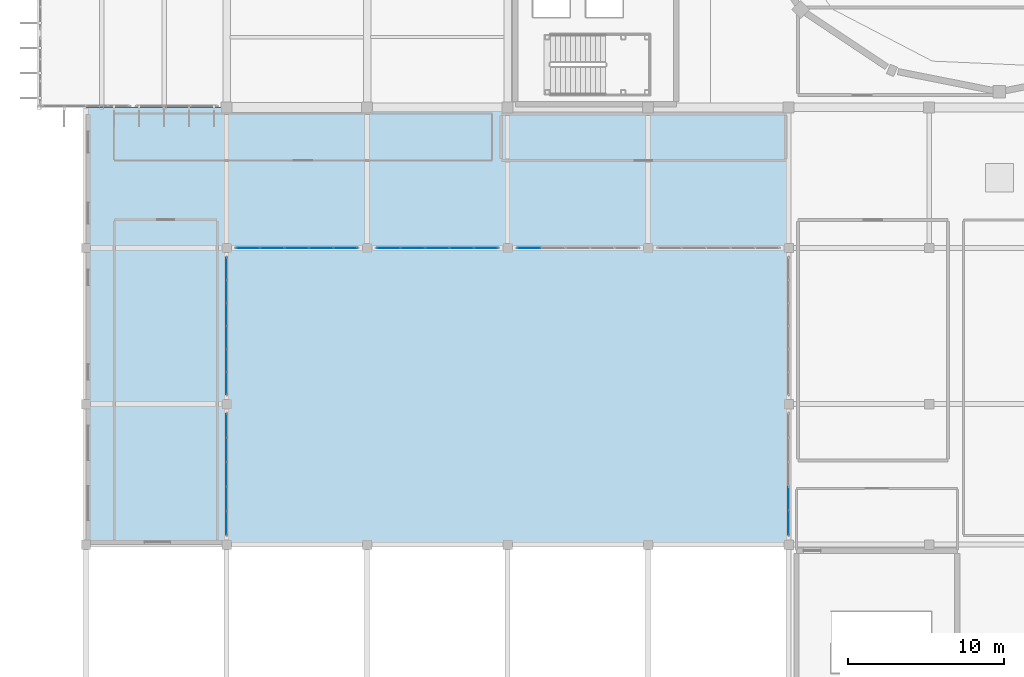
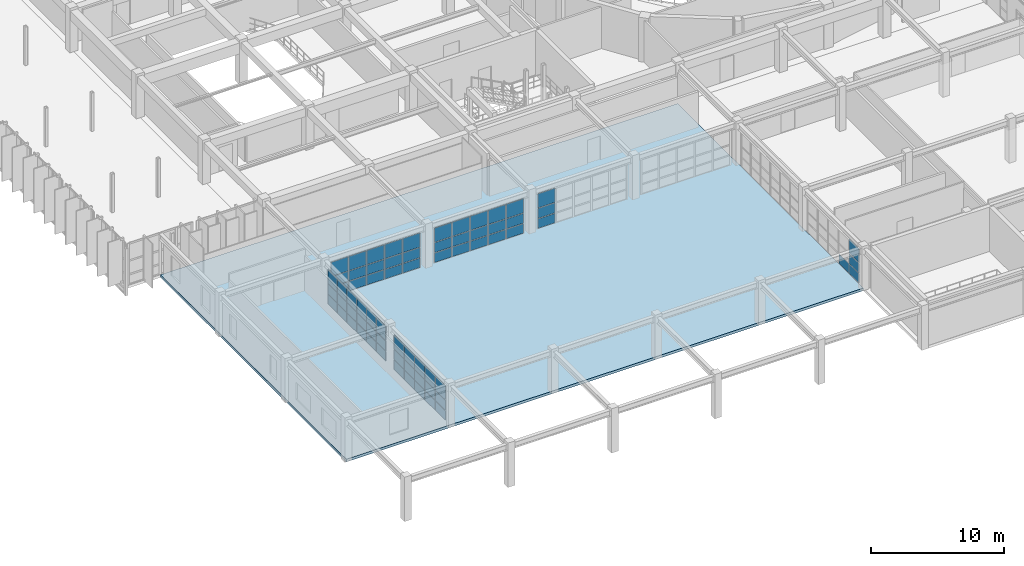
# One storey, part 79 of 110: 70 plates, 1 slab, 6 elements without a shape of their own.
"""IFC4 building model written with IfcOpenShell, lengths in metres."""

from ifc_helpers import new_model, si_unit, direction, frame, origin, origin_2d, place, context, subcontext, project, spatial, polyline, rectangle, outline, extrude, material, layer, layer_set, type_object, element, aggregate, save


model = new_model("IFC4")

# Units and contexts
model_context = context("Model", 3, precision=1e-05, world=origin(), true_north=direction((0.0, 1.0)))
body_context = subcontext(model_context, "Body", "Model", "MODEL_VIEW")
ifc_project = project(units=[si_unit("LENGTHUNIT", "METRE"), si_unit("AREAUNIT", "SQUARE_METRE"), si_unit("VOLUMEUNIT", "CUBIC_METRE"), si_unit("PLANEANGLEUNIT", "RADIAN"), si_unit("MASSUNIT", "GRAM", prefix="KILO")], contexts=[model_context])

# Site, building, storey
site_placement = place(None, origin())
site = spatial("IfcSite", under=ifc_project, at=site_placement, CompositionType="ELEMENT")
building_placement = place(site_placement, origin())
building = spatial("IfcBuilding", under=site, at=building_placement, Name="Miravela Opera House", CompositionType="ELEMENT")
storey_placement = place(building_placement, frame((0.0, 0.0, 13.60009765625)))
storey = spatial("IfcBuildingStorey", under=building, at=storey_placement, Name="L03", CompositionType="ELEMENT", Elevation=13.60009765625)

# Curtain wall, plates
ifc_material_1 = material(Name="Anodised architectural bronze aluminium 6063-T6", Category="aluminium")
curtain_wall_type = type_object("IfcCurtainWallType", Name="ARC-CW-06", PredefinedType="NOTDEFINED", material=ifc_material_1)
curtain_wall_1_placement = place(storey_placement, origin())
curtain_wall_1 = element("IfcCurtainWall", 1, at=curtain_wall_1_placement, inside=storey, type_object=curtain_wall_type, Name="Courtyard Arcade Curtain Wall CW-L03-148", PredefinedType="NOTDEFINED")
ifc_material_2 = material(Name="Acoustic laminated low-E insulating glass", Category="glass")
ifc_layer_1 = layer(ifc_material_2, 0.028076171875)
ifc_layer_set_1 = layer_set([ifc_layer_1])
plate_type = type_object("IfcPlateType", Name="ARC-CWP-28", PredefinedType="CURTAIN_PANEL", material=ifc_layer_set_1)
plate_1_placement = place(storey_placement, frame((28.37890625, 28.0, 0.06005859375), z_axis=(0.0, 0.0, 1.0), x_axis=(1.0, 0.0, 0.0)))
plate_1 = element("IfcPlate", 2, at=plate_1_placement, type_object=plate_type, Name="CW-06 panel 1.1", PredefinedType="CURTAIN_PANEL", context=body_context, shape_type="SweptSolid", body=[
    extrude(rectangle(XDim=1.47802734375, YDim=0.028076171875, at=origin_2d()), origin(), (0.0, 0.0, 1.0), 0.860107421875),
])
plate_2_placement = place(storey_placement, frame((28.37890625, 28.0, 0.97998046875), z_axis=(0.0, 0.0, 1.0), x_axis=(1.0, 0.0, 0.0)))
plate_2 = element("IfcPlate", 3, at=plate_2_placement, type_object=plate_type, Name="CW-06 panel 1.2", PredefinedType="CURTAIN_PANEL", context=body_context, shape_type="SweptSolid", body=[
    extrude(rectangle(XDim=1.47802734375, YDim=0.028076171875, at=origin_2d()), origin(), (0.0, 0.0, 1.0), 0.898193359375),
])
plate_3_placement = place(storey_placement, frame((28.37890625, 28.0, 1.93798828125), z_axis=(0.0, 0.0, 1.0), x_axis=(1.0, 0.0, 0.0)))
plate_3 = element("IfcPlate", 4, at=plate_3_placement, type_object=plate_type, Name="CW-06 panel 1.3", PredefinedType="CURTAIN_PANEL", context=body_context, shape_type="SweptSolid", body=[
    extrude(rectangle(XDim=1.47802734375, YDim=0.028076171875, at=origin_2d()), origin(), (0.0, 0.0, 1.0), 1.291748046875),
])
plate_4_placement = place(storey_placement, frame((29.931884765625, 28.0, 0.06005859375), z_axis=(0.0, 0.0, 1.0), x_axis=(1.0, 0.0, 0.0)))
plate_4 = element("IfcPlate", 5, at=plate_4_placement, type_object=plate_type, Name="CW-06 panel 2.1", PredefinedType="CURTAIN_PANEL", context=body_context, shape_type="SweptSolid", body=[
    extrude(rectangle(XDim=1.508056640625, YDim=0.028076171875, at=origin_2d()), origin(), (0.0, 0.0, 1.0), 0.860107421875),
])
plate_5_placement = place(storey_placement, frame((29.931884765625, 28.0, 0.97998046875), z_axis=(0.0, 0.0, 1.0), x_axis=(1.0, 0.0, 0.0)))
plate_5 = element("IfcPlate", 6, at=plate_5_placement, type_object=plate_type, Name="CW-06 panel 2.2", PredefinedType="CURTAIN_PANEL", context=body_context, shape_type="SweptSolid", body=[
    extrude(rectangle(XDim=1.508056640625, YDim=0.028076171875, at=origin_2d()), origin(), (0.0, 0.0, 1.0), 0.898193359375),
])
plate_6_placement = place(storey_placement, frame((29.931884765625, 28.0, 1.93798828125), z_axis=(0.0, 0.0, 1.0), x_axis=(1.0, 0.0, 0.0)))
plate_6 = element("IfcPlate", 7, at=plate_6_placement, type_object=plate_type, Name="CW-06 panel 2.3", PredefinedType="CURTAIN_PANEL", context=body_context, shape_type="SweptSolid", body=[
    extrude(rectangle(XDim=1.508056640625, YDim=0.028076171875, at=origin_2d()), origin(), (0.0, 0.0, 1.0), 1.291748046875),
])
plate_7_placement = place(storey_placement, frame((31.5, 28.0, 0.06005859375), z_axis=(0.0, 0.0, 1.0), x_axis=(1.0, 0.0, 0.0)))
plate_7 = element("IfcPlate", 8, at=plate_7_placement, type_object=plate_type, Name="CW-06 panel 3.1", PredefinedType="CURTAIN_PANEL", context=body_context, shape_type="SweptSolid", body=[
    extrude(rectangle(XDim=1.508056640625, YDim=0.028076171875, at=origin_2d()), origin(), (0.0, 0.0, 1.0), 0.860107421875),
])
plate_8_placement = place(storey_placement, frame((31.5, 28.0, 0.97998046875), z_axis=(0.0, 0.0, 1.0), x_axis=(1.0, 0.0, 0.0)))
plate_8 = element("IfcPlate", 9, at=plate_8_placement, type_object=plate_type, Name="CW-06 panel 3.2", PredefinedType="CURTAIN_PANEL", context=body_context, shape_type="SweptSolid", body=[
    extrude(rectangle(XDim=1.508056640625, YDim=0.028076171875, at=origin_2d()), origin(), (0.0, 0.0, 1.0), 0.898193359375),
])
plate_9_placement = place(storey_placement, frame((31.5, 28.0, 1.93798828125), z_axis=(0.0, 0.0, 1.0), x_axis=(1.0, 0.0, 0.0)))
plate_9 = element("IfcPlate", 10, at=plate_9_placement, type_object=plate_type, Name="CW-06 panel 3.3", PredefinedType="CURTAIN_PANEL", context=body_context, shape_type="SweptSolid", body=[
    extrude(rectangle(XDim=1.508056640625, YDim=0.028076171875, at=origin_2d()), origin(), (0.0, 0.0, 1.0), 1.291748046875),
])
plate_10_placement = place(storey_placement, frame((33.068115234375, 28.0, 0.06005859375), z_axis=(0.0, 0.0, 1.0), x_axis=(1.0, 0.0, 0.0)))
plate_10 = element("IfcPlate", 11, at=plate_10_placement, type_object=plate_type, Name="CW-06 panel 4.1", PredefinedType="CURTAIN_PANEL", context=body_context, shape_type="SweptSolid", body=[
    extrude(rectangle(XDim=1.508056640625, YDim=0.028076171875, at=origin_2d()), origin(), (0.0, 0.0, 1.0), 0.860107421875),
])
plate_11_placement = place(storey_placement, frame((33.068115234375, 28.0, 0.97998046875), z_axis=(0.0, 0.0, 1.0), x_axis=(1.0, 0.0, 0.0)))
plate_11 = element("IfcPlate", 12, at=plate_11_placement, type_object=plate_type, Name="CW-06 panel 4.2", PredefinedType="CURTAIN_PANEL", context=body_context, shape_type="SweptSolid", body=[
    extrude(rectangle(XDim=1.508056640625, YDim=0.028076171875, at=origin_2d()), origin(), (0.0, 0.0, 1.0), 0.898193359375),
])
plate_12_placement = place(storey_placement, frame((33.068115234375, 28.0, 1.93798828125), z_axis=(0.0, 0.0, 1.0), x_axis=(1.0, 0.0, 0.0)))
plate_12 = element("IfcPlate", 13, at=plate_12_placement, type_object=plate_type, Name="CW-06 panel 4.3", PredefinedType="CURTAIN_PANEL", context=body_context, shape_type="SweptSolid", body=[
    extrude(rectangle(XDim=1.508056640625, YDim=0.028076171875, at=origin_2d()), origin(), (0.0, 0.0, 1.0), 1.291748046875),
])
plate_13_placement = place(storey_placement, frame((34.62109375, 28.0, 0.06005859375), z_axis=(0.0, 0.0, 1.0), x_axis=(1.0, 0.0, 0.0)))
plate_13 = element("IfcPlate", 14, at=plate_13_placement, type_object=plate_type, Name="CW-06 panel 5.1", PredefinedType="CURTAIN_PANEL", context=body_context, shape_type="SweptSolid", body=[
    extrude(rectangle(XDim=1.47802734375, YDim=0.028076171875, at=origin_2d()), origin(), (0.0, 0.0, 1.0), 0.860107421875),
])
plate_14_placement = place(storey_placement, frame((34.62109375, 28.0, 0.97998046875), z_axis=(0.0, 0.0, 1.0), x_axis=(1.0, 0.0, 0.0)))
plate_14 = element("IfcPlate", 15, at=plate_14_placement, type_object=plate_type, Name="CW-06 panel 5.2", PredefinedType="CURTAIN_PANEL", context=body_context, shape_type="SweptSolid", body=[
    extrude(rectangle(XDim=1.47802734375, YDim=0.028076171875, at=origin_2d()), origin(), (0.0, 0.0, 1.0), 0.898193359375),
])
plate_15_placement = place(storey_placement, frame((34.62109375, 28.0, 1.93798828125), z_axis=(0.0, 0.0, 1.0), x_axis=(1.0, 0.0, 0.0)))
plate_15 = element("IfcPlate", 16, at=plate_15_placement, type_object=plate_type, Name="CW-06 panel 5.3", PredefinedType="CURTAIN_PANEL", context=body_context, shape_type="SweptSolid", body=[
    extrude(rectangle(XDim=1.47802734375, YDim=0.028076171875, at=origin_2d()), origin(), (0.0, 0.0, 1.0), 1.291748046875),
])
aggregate(curtain_wall_1, [plate_1, plate_2, plate_3, plate_4, plate_5, plate_6, plate_7, plate_8, plate_9, plate_10, plate_11, plate_12, plate_13, plate_14, plate_15])

curtain_wall_2_placement = place(storey_placement, origin())
curtain_wall_2 = element("IfcCurtainWall", 17, at=curtain_wall_2_placement, inside=storey, type_object=curtain_wall_type, Name="Courtyard Arcade Curtain Wall CW-L03-149", PredefinedType="NOTDEFINED")
plate_16_placement = place(storey_placement, frame((37.37890625, 28.0, 0.06005859375), z_axis=(0.0, 0.0, 1.0), x_axis=(1.0, 0.0, 0.0)))
plate_16 = element("IfcPlate", 18, at=plate_16_placement, type_object=plate_type, Name="CW-06 panel 1.1", PredefinedType="CURTAIN_PANEL", context=body_context, shape_type="SweptSolid", body=[
    extrude(rectangle(XDim=1.47802734375, YDim=0.028076171875, at=origin_2d()), origin(), (0.0, 0.0, 1.0), 0.860107421875),
])
plate_17_placement = place(storey_placement, frame((37.37890625, 28.0, 0.97998046875), z_axis=(0.0, 0.0, 1.0), x_axis=(1.0, 0.0, 0.0)))
plate_17 = element("IfcPlate", 19, at=plate_17_placement, type_object=plate_type, Name="CW-06 panel 1.2", PredefinedType="CURTAIN_PANEL", context=body_context, shape_type="SweptSolid", body=[
    extrude(rectangle(XDim=1.47802734375, YDim=0.028076171875, at=origin_2d()), origin(), (0.0, 0.0, 1.0), 0.898193359375),
])
plate_18_placement = place(storey_placement, frame((37.37890625, 28.0, 1.93798828125), z_axis=(0.0, 0.0, 1.0), x_axis=(1.0, 0.0, 0.0)))
plate_18 = element("IfcPlate", 20, at=plate_18_placement, type_object=plate_type, Name="CW-06 panel 1.3", PredefinedType="CURTAIN_PANEL", context=body_context, shape_type="SweptSolid", body=[
    extrude(rectangle(XDim=1.47802734375, YDim=0.028076171875, at=origin_2d()), origin(), (0.0, 0.0, 1.0), 1.291748046875),
])
plate_19_placement = place(storey_placement, frame((38.931884765625, 28.0, 0.06005859375), z_axis=(0.0, 0.0, 1.0), x_axis=(1.0, 0.0, 0.0)))
plate_19 = element("IfcPlate", 21, at=plate_19_placement, type_object=plate_type, Name="CW-06 panel 2.1", PredefinedType="CURTAIN_PANEL", context=body_context, shape_type="SweptSolid", body=[
    extrude(rectangle(XDim=1.508056640625, YDim=0.028076171875, at=origin_2d()), origin(), (0.0, 0.0, 1.0), 0.860107421875),
])
plate_20_placement = place(storey_placement, frame((38.931884765625, 28.0, 0.97998046875), z_axis=(0.0, 0.0, 1.0), x_axis=(1.0, 0.0, 0.0)))
plate_20 = element("IfcPlate", 22, at=plate_20_placement, type_object=plate_type, Name="CW-06 panel 2.2", PredefinedType="CURTAIN_PANEL", context=body_context, shape_type="SweptSolid", body=[
    extrude(rectangle(XDim=1.508056640625, YDim=0.028076171875, at=origin_2d()), origin(), (0.0, 0.0, 1.0), 0.898193359375),
])
plate_21_placement = place(storey_placement, frame((38.931884765625, 28.0, 1.93798828125), z_axis=(0.0, 0.0, 1.0), x_axis=(1.0, 0.0, 0.0)))
plate_21 = element("IfcPlate", 23, at=plate_21_placement, type_object=plate_type, Name="CW-06 panel 2.3", PredefinedType="CURTAIN_PANEL", context=body_context, shape_type="SweptSolid", body=[
    extrude(rectangle(XDim=1.508056640625, YDim=0.028076171875, at=origin_2d()), origin(), (0.0, 0.0, 1.0), 1.291748046875),
])
plate_22_placement = place(storey_placement, frame((40.5, 28.0, 0.06005859375), z_axis=(0.0, 0.0, 1.0), x_axis=(1.0, 0.0, 0.0)))
plate_22 = element("IfcPlate", 24, at=plate_22_placement, type_object=plate_type, Name="CW-06 panel 3.1", PredefinedType="CURTAIN_PANEL", context=body_context, shape_type="SweptSolid", body=[
    extrude(rectangle(XDim=1.508056640625, YDim=0.028076171875, at=origin_2d()), origin(), (0.0, 0.0, 1.0), 0.860107421875),
])
plate_23_placement = place(storey_placement, frame((40.5, 28.0, 0.97998046875), z_axis=(0.0, 0.0, 1.0), x_axis=(1.0, 0.0, 0.0)))
plate_23 = element("IfcPlate", 25, at=plate_23_placement, type_object=plate_type, Name="CW-06 panel 3.2", PredefinedType="CURTAIN_PANEL", context=body_context, shape_type="SweptSolid", body=[
    extrude(rectangle(XDim=1.508056640625, YDim=0.028076171875, at=origin_2d()), origin(), (0.0, 0.0, 1.0), 0.898193359375),
])
plate_24_placement = place(storey_placement, frame((40.5, 28.0, 1.93798828125), z_axis=(0.0, 0.0, 1.0), x_axis=(1.0, 0.0, 0.0)))
plate_24 = element("IfcPlate", 26, at=plate_24_placement, type_object=plate_type, Name="CW-06 panel 3.3", PredefinedType="CURTAIN_PANEL", context=body_context, shape_type="SweptSolid", body=[
    extrude(rectangle(XDim=1.508056640625, YDim=0.028076171875, at=origin_2d()), origin(), (0.0, 0.0, 1.0), 1.291748046875),
])
plate_25_placement = place(storey_placement, frame((42.068115234375, 28.0, 0.06005859375), z_axis=(0.0, 0.0, 1.0), x_axis=(1.0, 0.0, 0.0)))
plate_25 = element("IfcPlate", 27, at=plate_25_placement, type_object=plate_type, Name="CW-06 panel 4.1", PredefinedType="CURTAIN_PANEL", context=body_context, shape_type="SweptSolid", body=[
    extrude(rectangle(XDim=1.508056640625, YDim=0.028076171875, at=origin_2d()), origin(), (0.0, 0.0, 1.0), 0.860107421875),
])
plate_26_placement = place(storey_placement, frame((42.068115234375, 28.0, 0.97998046875), z_axis=(0.0, 0.0, 1.0), x_axis=(1.0, 0.0, 0.0)))
plate_26 = element("IfcPlate", 28, at=plate_26_placement, type_object=plate_type, Name="CW-06 panel 4.2", PredefinedType="CURTAIN_PANEL", context=body_context, shape_type="SweptSolid", body=[
    extrude(rectangle(XDim=1.508056640625, YDim=0.028076171875, at=origin_2d()), origin(), (0.0, 0.0, 1.0), 0.898193359375),
])
plate_27_placement = place(storey_placement, frame((42.068115234375, 28.0, 1.93798828125), z_axis=(0.0, 0.0, 1.0), x_axis=(1.0, 0.0, 0.0)))
plate_27 = element("IfcPlate", 29, at=plate_27_placement, type_object=plate_type, Name="CW-06 panel 4.3", PredefinedType="CURTAIN_PANEL", context=body_context, shape_type="SweptSolid", body=[
    extrude(rectangle(XDim=1.508056640625, YDim=0.028076171875, at=origin_2d()), origin(), (0.0, 0.0, 1.0), 1.291748046875),
])
plate_28_placement = place(storey_placement, frame((43.62109375, 28.0, 0.06005859375), z_axis=(0.0, 0.0, 1.0), x_axis=(1.0, 0.0, 0.0)))
plate_28 = element("IfcPlate", 30, at=plate_28_placement, type_object=plate_type, Name="CW-06 panel 5.1", PredefinedType="CURTAIN_PANEL", context=body_context, shape_type="SweptSolid", body=[
    extrude(rectangle(XDim=1.47802734375, YDim=0.028076171875, at=origin_2d()), origin(), (0.0, 0.0, 1.0), 0.860107421875),
])
plate_29_placement = place(storey_placement, frame((43.62109375, 28.0, 0.97998046875), z_axis=(0.0, 0.0, 1.0), x_axis=(1.0, 0.0, 0.0)))
plate_29 = element("IfcPlate", 31, at=plate_29_placement, type_object=plate_type, Name="CW-06 panel 5.2", PredefinedType="CURTAIN_PANEL", context=body_context, shape_type="SweptSolid", body=[
    extrude(rectangle(XDim=1.47802734375, YDim=0.028076171875, at=origin_2d()), origin(), (0.0, 0.0, 1.0), 0.898193359375),
])
plate_30_placement = place(storey_placement, frame((43.62109375, 28.0, 1.93798828125), z_axis=(0.0, 0.0, 1.0), x_axis=(1.0, 0.0, 0.0)))
plate_30 = element("IfcPlate", 32, at=plate_30_placement, type_object=plate_type, Name="CW-06 panel 5.3", PredefinedType="CURTAIN_PANEL", context=body_context, shape_type="SweptSolid", body=[
    extrude(rectangle(XDim=1.47802734375, YDim=0.028076171875, at=origin_2d()), origin(), (0.0, 0.0, 1.0), 1.291748046875),
])
aggregate(curtain_wall_2, [plate_16, plate_17, plate_18, plate_19, plate_20, plate_21, plate_22, plate_23, plate_24, plate_25, plate_26, plate_27, plate_28, plate_29, plate_30])

curtain_wall_3_placement = place(storey_placement, origin())
curtain_wall_3 = element("IfcCurtainWall", 33, at=curtain_wall_3_placement, inside=storey, type_object=curtain_wall_type, Name="Courtyard Arcade Curtain Wall CW-L03-150", PredefinedType="NOTDEFINED")
plate_31_placement = place(storey_placement, frame((46.37890625, 28.0, 0.06005859375), z_axis=(0.0, 0.0, 1.0), x_axis=(1.0, 0.0, 0.0)))
plate_31 = element("IfcPlate", 34, at=plate_31_placement, type_object=plate_type, Name="CW-06 panel 1.1", PredefinedType="CURTAIN_PANEL", context=body_context, shape_type="SweptSolid", body=[
    extrude(rectangle(XDim=1.47802734375, YDim=0.028076171875, at=origin_2d()), origin(), (0.0, 0.0, 1.0), 0.860107421875),
])
plate_32_placement = place(storey_placement, frame((46.37890625, 28.0, 0.97998046875), z_axis=(0.0, 0.0, 1.0), x_axis=(1.0, 0.0, 0.0)))
plate_32 = element("IfcPlate", 35, at=plate_32_placement, type_object=plate_type, Name="CW-06 panel 1.2", PredefinedType="CURTAIN_PANEL", context=body_context, shape_type="SweptSolid", body=[
    extrude(rectangle(XDim=1.47802734375, YDim=0.028076171875, at=origin_2d()), origin(), (0.0, 0.0, 1.0), 0.898193359375),
])
plate_33_placement = place(storey_placement, frame((46.37890625, 28.0, 1.93798828125), z_axis=(0.0, 0.0, 1.0), x_axis=(1.0, 0.0, 0.0)))
plate_33 = element("IfcPlate", 36, at=plate_33_placement, type_object=plate_type, Name="CW-06 panel 1.3", PredefinedType="CURTAIN_PANEL", context=body_context, shape_type="SweptSolid", body=[
    extrude(rectangle(XDim=1.47802734375, YDim=0.028076171875, at=origin_2d()), origin(), (0.0, 0.0, 1.0), 1.291748046875),
])
aggregate(curtain_wall_3, [plate_31, plate_32, plate_33])

curtain_wall_4_placement = place(storey_placement, origin())
curtain_wall_4 = element("IfcCurtainWall", 37, at=curtain_wall_4_placement, inside=storey, type_object=curtain_wall_type, Name="Courtyard Arcade Curtain Wall CW-L03-152", PredefinedType="NOTDEFINED")
plate_34_placement = place(storey_placement, frame((27.0, 10.37890625, 0.06005859375), z_axis=(0.0, 0.0, 1.0), x_axis=(0.0, 1.0, 0.0)))
plate_34 = element("IfcPlate", 38, at=plate_34_placement, type_object=plate_type, Name="CW-06 panel 1.1", PredefinedType="CURTAIN_PANEL", context=body_context, shape_type="SweptSolid", body=[
    extrude(rectangle(XDim=1.47802734375, YDim=0.028076171875, at=origin_2d()), origin(), (0.0, 0.0, 1.0), 0.860107421875),
])
plate_35_placement = place(storey_placement, frame((27.0, 10.37890625, 0.97998046875), z_axis=(0.0, 0.0, 1.0), x_axis=(0.0, 1.0, 0.0)))
plate_35 = element("IfcPlate", 39, at=plate_35_placement, type_object=plate_type, Name="CW-06 panel 1.2", PredefinedType="CURTAIN_PANEL", context=body_context, shape_type="SweptSolid", body=[
    extrude(rectangle(XDim=1.47802734375, YDim=0.028076171875, at=origin_2d()), origin(), (0.0, 0.0, 1.0), 0.898193359375),
])
plate_36_placement = place(storey_placement, frame((27.0, 10.37890625, 1.93798828125), z_axis=(0.0, 0.0, 1.0), x_axis=(0.0, 1.0, 0.0)))
plate_36 = element("IfcPlate", 40, at=plate_36_placement, type_object=plate_type, Name="CW-06 panel 1.3", PredefinedType="CURTAIN_PANEL", context=body_context, shape_type="SweptSolid", body=[
    extrude(rectangle(XDim=1.47802734375, YDim=0.028076171875, at=origin_2d()), origin(), (0.0, 0.0, 1.0), 1.291748046875),
])
plate_37_placement = place(storey_placement, frame((27.0, 11.931884765625, 0.06005859375), z_axis=(0.0, 0.0, 1.0), x_axis=(0.0, 1.0, 0.0)))
plate_37 = element("IfcPlate", 41, at=plate_37_placement, type_object=plate_type, Name="CW-06 panel 2.1", PredefinedType="CURTAIN_PANEL", context=body_context, shape_type="SweptSolid", body=[
    extrude(rectangle(XDim=1.508056640625, YDim=0.028076171875, at=origin_2d()), origin(), (0.0, 0.0, 1.0), 0.860107421875),
])
plate_38_placement = place(storey_placement, frame((27.0, 11.931884765625, 0.97998046875), z_axis=(0.0, 0.0, 1.0), x_axis=(0.0, 1.0, 0.0)))
plate_38 = element("IfcPlate", 42, at=plate_38_placement, type_object=plate_type, Name="CW-06 panel 2.2", PredefinedType="CURTAIN_PANEL", context=body_context, shape_type="SweptSolid", body=[
    extrude(rectangle(XDim=1.508056640625, YDim=0.028076171875, at=origin_2d()), origin(), (0.0, 0.0, 1.0), 0.898193359375),
])
plate_39_placement = place(storey_placement, frame((27.0, 11.931884765625, 1.93798828125), z_axis=(0.0, 0.0, 1.0), x_axis=(0.0, 1.0, 0.0)))
plate_39 = element("IfcPlate", 43, at=plate_39_placement, type_object=plate_type, Name="CW-06 panel 2.3", PredefinedType="CURTAIN_PANEL", context=body_context, shape_type="SweptSolid", body=[
    extrude(rectangle(XDim=1.508056640625, YDim=0.028076171875, at=origin_2d()), origin(), (0.0, 0.0, 1.0), 1.291748046875),
])
plate_40_placement = place(storey_placement, frame((27.0, 13.5, 0.06005859375), z_axis=(0.0, 0.0, 1.0), x_axis=(0.0, 1.0, 0.0)))
plate_40 = element("IfcPlate", 44, at=plate_40_placement, type_object=plate_type, Name="CW-06 panel 3.1", PredefinedType="CURTAIN_PANEL", context=body_context, shape_type="SweptSolid", body=[
    extrude(rectangle(XDim=1.508056640625, YDim=0.028076171875, at=origin_2d()), origin(), (0.0, 0.0, 1.0), 0.860107421875),
])
plate_41_placement = place(storey_placement, frame((27.0, 13.5, 0.97998046875), z_axis=(0.0, 0.0, 1.0), x_axis=(0.0, 1.0, 0.0)))
plate_41 = element("IfcPlate", 45, at=plate_41_placement, type_object=plate_type, Name="CW-06 panel 3.2", PredefinedType="CURTAIN_PANEL", context=body_context, shape_type="SweptSolid", body=[
    extrude(rectangle(XDim=1.508056640625, YDim=0.028076171875, at=origin_2d()), origin(), (0.0, 0.0, 1.0), 0.898193359375),
])
plate_42_placement = place(storey_placement, frame((27.0, 13.5, 1.93798828125), z_axis=(0.0, 0.0, 1.0), x_axis=(0.0, 1.0, 0.0)))
plate_42 = element("IfcPlate", 46, at=plate_42_placement, type_object=plate_type, Name="CW-06 panel 3.3", PredefinedType="CURTAIN_PANEL", context=body_context, shape_type="SweptSolid", body=[
    extrude(rectangle(XDim=1.508056640625, YDim=0.028076171875, at=origin_2d()), origin(), (0.0, 0.0, 1.0), 1.291748046875),
])
plate_43_placement = place(storey_placement, frame((27.0, 15.068115234375, 0.06005859375), z_axis=(0.0, 0.0, 1.0), x_axis=(0.0, 1.0, 0.0)))
plate_43 = element("IfcPlate", 47, at=plate_43_placement, type_object=plate_type, Name="CW-06 panel 4.1", PredefinedType="CURTAIN_PANEL", context=body_context, shape_type="SweptSolid", body=[
    extrude(rectangle(XDim=1.508056640625, YDim=0.028076171875, at=origin_2d()), origin(), (0.0, 0.0, 1.0), 0.860107421875),
])
plate_44_placement = place(storey_placement, frame((27.0, 15.068115234375, 0.97998046875), z_axis=(0.0, 0.0, 1.0), x_axis=(0.0, 1.0, 0.0)))
plate_44 = element("IfcPlate", 48, at=plate_44_placement, type_object=plate_type, Name="CW-06 panel 4.2", PredefinedType="CURTAIN_PANEL", context=body_context, shape_type="SweptSolid", body=[
    extrude(rectangle(XDim=1.508056640625, YDim=0.028076171875, at=origin_2d()), origin(), (0.0, 0.0, 1.0), 0.898193359375),
])
plate_45_placement = place(storey_placement, frame((27.0, 15.068115234375, 1.93798828125), z_axis=(0.0, 0.0, 1.0), x_axis=(0.0, 1.0, 0.0)))
plate_45 = element("IfcPlate", 49, at=plate_45_placement, type_object=plate_type, Name="CW-06 panel 4.3", PredefinedType="CURTAIN_PANEL", context=body_context, shape_type="SweptSolid", body=[
    extrude(rectangle(XDim=1.508056640625, YDim=0.028076171875, at=origin_2d()), origin(), (0.0, 0.0, 1.0), 1.291748046875),
])
plate_46_placement = place(storey_placement, frame((27.0, 16.62109375, 0.06005859375), z_axis=(0.0, 0.0, 1.0), x_axis=(0.0, 1.0, 0.0)))
plate_46 = element("IfcPlate", 50, at=plate_46_placement, type_object=plate_type, Name="CW-06 panel 5.1", PredefinedType="CURTAIN_PANEL", context=body_context, shape_type="SweptSolid", body=[
    extrude(rectangle(XDim=1.47802734375, YDim=0.028076171875, at=origin_2d()), origin(), (0.0, 0.0, 1.0), 0.860107421875),
])
plate_47_placement = place(storey_placement, frame((27.0, 16.62109375, 0.97998046875), z_axis=(0.0, 0.0, 1.0), x_axis=(0.0, 1.0, 0.0)))
plate_47 = element("IfcPlate", 51, at=plate_47_placement, type_object=plate_type, Name="CW-06 panel 5.2", PredefinedType="CURTAIN_PANEL", context=body_context, shape_type="SweptSolid", body=[
    extrude(rectangle(XDim=1.47802734375, YDim=0.028076171875, at=origin_2d()), origin(), (0.0, 0.0, 1.0), 0.898193359375),
])
plate_48_placement = place(storey_placement, frame((27.0, 16.62109375, 1.93798828125), z_axis=(0.0, 0.0, 1.0), x_axis=(0.0, 1.0, 0.0)))
plate_48 = element("IfcPlate", 52, at=plate_48_placement, type_object=plate_type, Name="CW-06 panel 5.3", PredefinedType="CURTAIN_PANEL", context=body_context, shape_type="SweptSolid", body=[
    extrude(rectangle(XDim=1.47802734375, YDim=0.028076171875, at=origin_2d()), origin(), (0.0, 0.0, 1.0), 1.291748046875),
])
aggregate(curtain_wall_4, [plate_34, plate_35, plate_36, plate_37, plate_38, plate_39, plate_40, plate_41, plate_42, plate_43, plate_44, plate_45, plate_46, plate_47, plate_48])

curtain_wall_5_placement = place(storey_placement, origin())
curtain_wall_5 = element("IfcCurtainWall", 53, at=curtain_wall_5_placement, inside=storey, type_object=curtain_wall_type, Name="Courtyard Arcade Curtain Wall CW-L03-153", PredefinedType="NOTDEFINED")
plate_49_placement = place(storey_placement, frame((27.0, 19.331787109375, 0.06005859375), z_axis=(0.0, 0.0, 1.0), x_axis=(0.0, 1.0, 0.0)))
plate_49 = element("IfcPlate", 54, at=plate_49_placement, type_object=plate_type, Name="CW-06 panel 1.1", PredefinedType="CURTAIN_PANEL", context=body_context, shape_type="SweptSolid", body=[
    extrude(rectangle(XDim=1.38330078125, YDim=0.028076171875, at=origin_2d()), origin(), (0.0, 0.0, 1.0), 0.860107421875),
])
plate_50_placement = place(storey_placement, frame((27.0, 19.331787109375, 0.97998046875), z_axis=(0.0, 0.0, 1.0), x_axis=(0.0, 1.0, 0.0)))
plate_50 = element("IfcPlate", 55, at=plate_50_placement, type_object=plate_type, Name="CW-06 panel 1.2", PredefinedType="CURTAIN_PANEL", context=body_context, shape_type="SweptSolid", body=[
    extrude(rectangle(XDim=1.38330078125, YDim=0.028076171875, at=origin_2d()), origin(), (0.0, 0.0, 1.0), 0.898193359375),
])
plate_51_placement = place(storey_placement, frame((27.0, 19.331787109375, 1.93798828125), z_axis=(0.0, 0.0, 1.0), x_axis=(0.0, 1.0, 0.0)))
plate_51 = element("IfcPlate", 56, at=plate_51_placement, type_object=plate_type, Name="CW-06 panel 1.3", PredefinedType="CURTAIN_PANEL", context=body_context, shape_type="SweptSolid", body=[
    extrude(rectangle(XDim=1.38330078125, YDim=0.028076171875, at=origin_2d()), origin(), (0.0, 0.0, 1.0), 1.291748046875),
])
plate_52_placement = place(storey_placement, frame((27.0, 20.7900390625, 0.06005859375), z_axis=(0.0, 0.0, 1.0), x_axis=(0.0, 1.0, 0.0)))
plate_52 = element("IfcPlate", 57, at=plate_52_placement, type_object=plate_type, Name="CW-06 panel 2.1", PredefinedType="CURTAIN_PANEL", context=body_context, shape_type="SweptSolid", body=[
    extrude(rectangle(XDim=1.413330078125, YDim=0.028076171875, at=origin_2d()), origin(), (0.0, 0.0, 1.0), 0.860107421875),
])
plate_53_placement = place(storey_placement, frame((27.0, 20.7900390625, 0.97998046875), z_axis=(0.0, 0.0, 1.0), x_axis=(0.0, 1.0, 0.0)))
plate_53 = element("IfcPlate", 58, at=plate_53_placement, type_object=plate_type, Name="CW-06 panel 2.2", PredefinedType="CURTAIN_PANEL", context=body_context, shape_type="SweptSolid", body=[
    extrude(rectangle(XDim=1.413330078125, YDim=0.028076171875, at=origin_2d()), origin(), (0.0, 0.0, 1.0), 0.898193359375),
])
plate_54_placement = place(storey_placement, frame((27.0, 20.7900390625, 1.93798828125), z_axis=(0.0, 0.0, 1.0), x_axis=(0.0, 1.0, 0.0)))
plate_54 = element("IfcPlate", 59, at=plate_54_placement, type_object=plate_type, Name="CW-06 panel 2.3", PredefinedType="CURTAIN_PANEL", context=body_context, shape_type="SweptSolid", body=[
    extrude(rectangle(XDim=1.413330078125, YDim=0.028076171875, at=origin_2d()), origin(), (0.0, 0.0, 1.0), 1.291748046875),
])
plate_55_placement = place(storey_placement, frame((27.0, 22.263427734375, 0.06005859375), z_axis=(0.0, 0.0, 1.0), x_axis=(0.0, 1.0, 0.0)))
plate_55 = element("IfcPlate", 60, at=plate_55_placement, type_object=plate_type, Name="CW-06 panel 3.1", PredefinedType="CURTAIN_PANEL", context=body_context, shape_type="SweptSolid", body=[
    extrude(rectangle(XDim=1.413330078125, YDim=0.028076171875, at=origin_2d()), origin(), (0.0, 0.0, 1.0), 0.860107421875),
])
plate_56_placement = place(storey_placement, frame((27.0, 22.263427734375, 0.97998046875), z_axis=(0.0, 0.0, 1.0), x_axis=(0.0, 1.0, 0.0)))
plate_56 = element("IfcPlate", 61, at=plate_56_placement, type_object=plate_type, Name="CW-06 panel 3.2", PredefinedType="CURTAIN_PANEL", context=body_context, shape_type="SweptSolid", body=[
    extrude(rectangle(XDim=1.413330078125, YDim=0.028076171875, at=origin_2d()), origin(), (0.0, 0.0, 1.0), 0.898193359375),
])
plate_57_placement = place(storey_placement, frame((27.0, 22.263427734375, 1.93798828125), z_axis=(0.0, 0.0, 1.0), x_axis=(0.0, 1.0, 0.0)))
plate_57 = element("IfcPlate", 62, at=plate_57_placement, type_object=plate_type, Name="CW-06 panel 3.3", PredefinedType="CURTAIN_PANEL", context=body_context, shape_type="SweptSolid", body=[
    extrude(rectangle(XDim=1.413330078125, YDim=0.028076171875, at=origin_2d()), origin(), (0.0, 0.0, 1.0), 1.291748046875),
])
plate_58_placement = place(storey_placement, frame((27.0, 23.736572265625, 0.06005859375), z_axis=(0.0, 0.0, 1.0), x_axis=(0.0, 1.0, 0.0)))
plate_58 = element("IfcPlate", 63, at=plate_58_placement, type_object=plate_type, Name="CW-06 panel 4.1", PredefinedType="CURTAIN_PANEL", context=body_context, shape_type="SweptSolid", body=[
    extrude(rectangle(XDim=1.413330078125, YDim=0.028076171875, at=origin_2d()), origin(), (0.0, 0.0, 1.0), 0.860107421875),
])
plate_59_placement = place(storey_placement, frame((27.0, 23.736572265625, 0.97998046875), z_axis=(0.0, 0.0, 1.0), x_axis=(0.0, 1.0, 0.0)))
plate_59 = element("IfcPlate", 64, at=plate_59_placement, type_object=plate_type, Name="CW-06 panel 4.2", PredefinedType="CURTAIN_PANEL", context=body_context, shape_type="SweptSolid", body=[
    extrude(rectangle(XDim=1.413330078125, YDim=0.028076171875, at=origin_2d()), origin(), (0.0, 0.0, 1.0), 0.898193359375),
])
plate_60_placement = place(storey_placement, frame((27.0, 23.736572265625, 1.93798828125), z_axis=(0.0, 0.0, 1.0), x_axis=(0.0, 1.0, 0.0)))
plate_60 = element("IfcPlate", 65, at=plate_60_placement, type_object=plate_type, Name="CW-06 panel 4.3", PredefinedType="CURTAIN_PANEL", context=body_context, shape_type="SweptSolid", body=[
    extrude(rectangle(XDim=1.413330078125, YDim=0.028076171875, at=origin_2d()), origin(), (0.0, 0.0, 1.0), 1.291748046875),
])
plate_61_placement = place(storey_placement, frame((27.0, 25.2099609375, 0.06005859375), z_axis=(0.0, 0.0, 1.0), x_axis=(0.0, 1.0, 0.0)))
plate_61 = element("IfcPlate", 66, at=plate_61_placement, type_object=plate_type, Name="CW-06 panel 5.1", PredefinedType="CURTAIN_PANEL", context=body_context, shape_type="SweptSolid", body=[
    extrude(rectangle(XDim=1.413330078125, YDim=0.028076171875, at=origin_2d()), origin(), (0.0, 0.0, 1.0), 0.860107421875),
])
plate_62_placement = place(storey_placement, frame((27.0, 25.2099609375, 0.97998046875), z_axis=(0.0, 0.0, 1.0), x_axis=(0.0, 1.0, 0.0)))
plate_62 = element("IfcPlate", 67, at=plate_62_placement, type_object=plate_type, Name="CW-06 panel 5.2", PredefinedType="CURTAIN_PANEL", context=body_context, shape_type="SweptSolid", body=[
    extrude(rectangle(XDim=1.413330078125, YDim=0.028076171875, at=origin_2d()), origin(), (0.0, 0.0, 1.0), 0.898193359375),
])
plate_63_placement = place(storey_placement, frame((27.0, 25.2099609375, 1.93798828125), z_axis=(0.0, 0.0, 1.0), x_axis=(0.0, 1.0, 0.0)))
plate_63 = element("IfcPlate", 68, at=plate_63_placement, type_object=plate_type, Name="CW-06 panel 5.3", PredefinedType="CURTAIN_PANEL", context=body_context, shape_type="SweptSolid", body=[
    extrude(rectangle(XDim=1.413330078125, YDim=0.028076171875, at=origin_2d()), origin(), (0.0, 0.0, 1.0), 1.291748046875),
])
plate_64_placement = place(storey_placement, frame((27.0, 26.668212890625, 0.06005859375), z_axis=(0.0, 0.0, 1.0), x_axis=(0.0, 1.0, 0.0)))
plate_64 = element("IfcPlate", 69, at=plate_64_placement, type_object=plate_type, Name="CW-06 panel 6.1", PredefinedType="CURTAIN_PANEL", context=body_context, shape_type="SweptSolid", body=[
    extrude(rectangle(XDim=1.38330078125, YDim=0.028076171875, at=origin_2d()), origin(), (0.0, 0.0, 1.0), 0.860107421875),
])
plate_65_placement = place(storey_placement, frame((27.0, 26.668212890625, 0.97998046875), z_axis=(0.0, 0.0, 1.0), x_axis=(0.0, 1.0, 0.0)))
plate_65 = element("IfcPlate", 70, at=plate_65_placement, type_object=plate_type, Name="CW-06 panel 6.2", PredefinedType="CURTAIN_PANEL", context=body_context, shape_type="SweptSolid", body=[
    extrude(rectangle(XDim=1.38330078125, YDim=0.028076171875, at=origin_2d()), origin(), (0.0, 0.0, 1.0), 0.898193359375),
])
plate_66_placement = place(storey_placement, frame((27.0, 26.668212890625, 1.93798828125), z_axis=(0.0, 0.0, 1.0), x_axis=(0.0, 1.0, 0.0)))
plate_66 = element("IfcPlate", 71, at=plate_66_placement, type_object=plate_type, Name="CW-06 panel 6.3", PredefinedType="CURTAIN_PANEL", context=body_context, shape_type="SweptSolid", body=[
    extrude(rectangle(XDim=1.38330078125, YDim=0.028076171875, at=origin_2d()), origin(), (0.0, 0.0, 1.0), 1.291748046875),
])
aggregate(curtain_wall_5, [plate_49, plate_50, plate_51, plate_52, plate_53, plate_54, plate_55, plate_56, plate_57, plate_58, plate_59, plate_60, plate_61, plate_62, plate_63, plate_64, plate_65, plate_66])

curtain_wall_6_placement = place(storey_placement, origin())
curtain_wall_6 = element("IfcCurtainWall", 72, at=curtain_wall_6_placement, inside=storey, type_object=curtain_wall_type, Name="Courtyard Arcade Curtain Wall CW-L03-154", PredefinedType="NOTDEFINED")
plate_67_placement = place(storey_placement, frame((63.0, 10.37890625, 0.06005859375), z_axis=(0.0, 0.0, 1.0), x_axis=(0.0, 1.0, 0.0)))
plate_67 = element("IfcPlate", 73, at=plate_67_placement, type_object=plate_type, Name="CW-06 panel 1.1", PredefinedType="CURTAIN_PANEL", context=body_context, shape_type="SweptSolid", body=[
    extrude(rectangle(XDim=1.47802734375, YDim=0.028076171875, at=origin_2d()), origin(), (0.0, 0.0, 1.0), 0.860107421875),
])
plate_68_placement = place(storey_placement, frame((63.0, 10.37890625, 0.97998046875), z_axis=(0.0, 0.0, 1.0), x_axis=(0.0, 1.0, 0.0)))
plate_68 = element("IfcPlate", 74, at=plate_68_placement, type_object=plate_type, Name="CW-06 panel 1.2", PredefinedType="CURTAIN_PANEL", context=body_context, shape_type="SweptSolid", body=[
    extrude(rectangle(XDim=1.47802734375, YDim=0.028076171875, at=origin_2d()), origin(), (0.0, 0.0, 1.0), 0.898193359375),
])
plate_69_placement = place(storey_placement, frame((63.0, 10.37890625, 1.93798828125), z_axis=(0.0, 0.0, 1.0), x_axis=(0.0, 1.0, 0.0)))
plate_69 = element("IfcPlate", 75, at=plate_69_placement, type_object=plate_type, Name="CW-06 panel 1.3", PredefinedType="CURTAIN_PANEL", context=body_context, shape_type="SweptSolid", body=[
    extrude(rectangle(XDim=1.47802734375, YDim=0.028076171875, at=origin_2d()), origin(), (0.0, 0.0, 1.0), 1.291748046875),
])
plate_70_placement = place(storey_placement, frame((63.0, 11.931884765625, 0.06005859375), z_axis=(0.0, 0.0, 1.0), x_axis=(0.0, 1.0, 0.0)))
plate_70 = element("IfcPlate", 76, at=plate_70_placement, type_object=plate_type, Name="CW-06 panel 2.1", PredefinedType="CURTAIN_PANEL", context=body_context, shape_type="SweptSolid", body=[
    extrude(rectangle(XDim=1.508056640625, YDim=0.028076171875, at=origin_2d()), origin(), (0.0, 0.0, 1.0), 0.860107421875),
])
aggregate(curtain_wall_6, [plate_67, plate_68, plate_69, plate_70])

# Slab
ifc_material_3 = material(Name="Concrete C35/45", Category="concrete")
ifc_layer_2 = layer(ifc_material_3, 0.239990234375)
ifc_layer_set_2 = layer_set([ifc_layer_2])
slab_type = type_object("IfcSlabType", Name="STR-SLAB-FLR-240", PredefinedType="FLOOR", material=ifc_layer_set_2)
slab_placement = place(storey_placement, frame((0.0, 0.0, -0.239990234375)))
element("IfcSlab", 77, at=slab_placement, inside=storey, type_object=slab_type, Name="Level L03 Floor Slab SLAB-L03-V4W", PredefinedType="FLOOR", context=body_context, shape_type="SweptSolid", body=[
    extrude(outline(polyline([(18.0, 9.0), (63.0, 9.0), (63.0, 37.0), (18.0, 37.0), (18.0, 9.0)])), origin(), (0.0, 0.0, 1.0), 0.239990234375),
])

save(model, "model.ifc")
